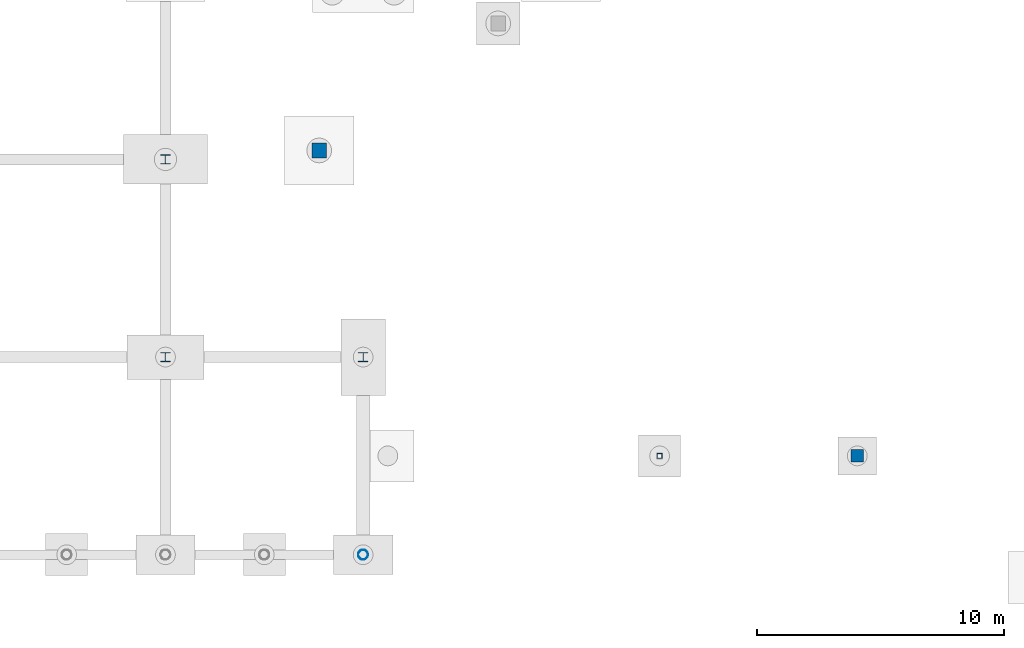
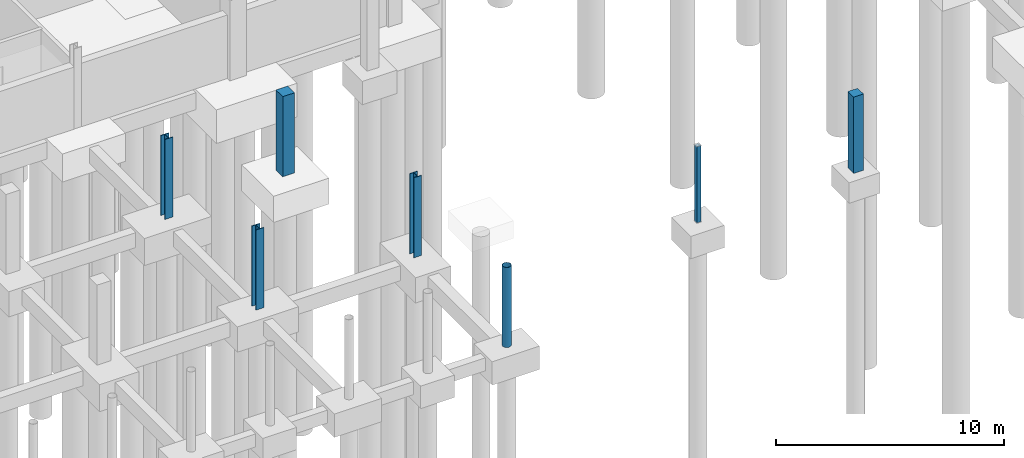
# One storey, part 16 of 48: 7 columns.
"""IFC4 building model written with IfcOpenShell, lengths in metres."""

from ifc_helpers import new_model, si_unit, derived_unit, direction, frame, origin, origin_2d, place, context, subcontext, project, spatial, rectangle, hollow_rectangle, hollow_circle, i_section, extrude, material, material_profile, profile_set, type_object, element, save


model = new_model("IFC4")

# Units and contexts
model_context = context("Model", 3, precision=1e-05, world=origin(), true_north=direction((0.0, 1.0)))
body_context = subcontext(model_context, "Body", "Model", "MODEL_VIEW")
ifc_project = project(units=[si_unit("LENGTHUNIT", "METRE"), si_unit("AREAUNIT", "SQUARE_METRE"), si_unit("VOLUMEUNIT", "CUBIC_METRE"), si_unit("PLANEANGLEUNIT", "RADIAN"), si_unit("MASSUNIT", "GRAM", prefix="KILO"), derived_unit("THERMALTRANSMITTANCEUNIT", [(si_unit("MASSUNIT", "GRAM", prefix="KILO"), 1), (si_unit("TIMEUNIT", "SECOND"), -3), (si_unit("THERMODYNAMICTEMPERATUREUNIT", "KELVIN"), -1)])], contexts=[model_context])

# Site, building, storey
site_placement = place(None, origin())
site = spatial("IfcSite", under=ifc_project, at=site_placement, CompositionType="ELEMENT")
building_placement = place(site_placement, origin())
building = spatial("IfcBuilding", under=site, at=building_placement, Name="Veyamyaing Civic Hall", CompositionType="ELEMENT")
storey_placement = place(building_placement, frame((0.0, 0.0, -4.2900390625)))
storey = spatial("IfcBuildingStorey", under=building, at=storey_placement, Name="B1", CompositionType="ELEMENT", Elevation=-4.2900390625)

# Columns
ifc_material_1 = material(Name="Concrete C45/55", Category="concrete")
ifc_material_profile_1 = material_profile(ifc_material_1, rectangle(XDim=0.60009765625, YDim=0.60009765625, at=origin_2d()), Name="RC-COL-600X600")
ifc_profile_set_1 = profile_set([ifc_material_profile_1], Name="Concrete C45/55")
column_type_1 = type_object("IfcColumnType", Name="C-06", PredefinedType="COLUMN", material=ifc_profile_set_1)
column_1_placement = place(storey_placement, frame((102.220703125, 16.36376953125, 0.0), z_axis=(0.0, 0.0, 1.0), x_axis=(1.0, 0.0, 0.0)))
element("IfcColumn", 1, at=column_1_placement, inside=storey, type_object=column_type_1, Name="Curved corner column C-06 ARC-SE-00 B1", PredefinedType="COLUMN", context=body_context, shape_type="SweptSolid", body=[
    extrude(rectangle(XDim=0.60009765625, YDim=0.60009765625, at=origin_2d()), origin(), (0.0, 0.0, 1.0), 4.2900390625),
])
ifc_material_2 = material(Name="Steel S355J2", Category="steel")
ifc_material_profile_2 = material_profile(ifc_material_2, i_section(OverallWidth=0.39794921875, OverallDepth=0.386962890625, WebThickness=0.02099609375, FlangeThickness=0.033203125, FilletRadius=0.014892578125, at=origin_2d()), Name="W360X262")
ifc_profile_set_2 = profile_set([ifc_material_profile_2], Name="Steel S355J2")
column_type_2 = type_object("IfcColumnType", Name="C-08", PredefinedType="COLUMN", material=ifc_profile_set_2)
for number, where, z_axis, x_axis, name in (
    (2, (96.0, 8.0, 0.0), (0.0, 0.0, 1.0), (1.0, 0.0, 0.0), "Column C-08 13-B B1"),
    (3, (96.0, 16.0, 0.0), (0.0, 0.0, 1.0), (1.0, 0.0, 0.0), "Column C-08 13-C B1"),
    (4, (104.0, 8.0, 0.0), (0.0, 0.0, 1.0), (1.0, 0.0, 0.0), "Column C-08 14-B B1"),
):
    element("IfcColumn", number, at=place(storey_placement, frame(where, z_axis=z_axis, x_axis=x_axis)), inside=storey, type_object=column_type_2, Name=name, PredefinedType="COLUMN", context=body_context, shape_type="SweptSolid", body=[
        extrude(i_section(OverallWidth=0.39794921875, OverallDepth=0.386962890625, WebThickness=0.02099609375, FlangeThickness=0.033203125, FilletRadius=0.014892578125, at=origin_2d()), origin(), (0.0, 0.0, 1.0), 4.2900390625),
    ])
ifc_material_profile_3 = material_profile(ifc_material_2, hollow_circle(Radius=0.203125, WallThickness=0.0126953125, at=origin_2d()), Name="CHS406X12.7")
ifc_profile_set_3 = profile_set([ifc_material_profile_3], Name="Steel S355J2")
column_type_3 = type_object("IfcColumnType", Name="C-11", PredefinedType="COLUMN", material=ifc_profile_set_3)
column_2_placement = place(storey_placement, frame((104.0, 0.0, 0.0), z_axis=(0.0, 0.0, 1.0), x_axis=(1.0, 0.0, 0.0)))
element("IfcColumn", 5, at=column_2_placement, inside=storey, type_object=column_type_3, Name="Column C-11 14-A B1", PredefinedType="COLUMN", context=body_context, shape_type="SweptSolid", body=[
    extrude(hollow_circle(Radius=0.203125, WallThickness=0.0126953125, at=origin_2d()), origin(), (0.0, 0.0, 1.0), 4.2900390625),
])
ifc_material_profile_4 = material_profile(ifc_material_2, hollow_rectangle(XDim=0.202880859375, YDim=0.202880859375, WallThickness=0.0126953125, at=origin_2d()), Name="HSS203X203X12.7")
ifc_profile_set_4 = profile_set([ifc_material_profile_4], Name="Steel S355J2")
column_type_4 = type_object("IfcColumnType", Name="C-14", PredefinedType="COLUMN", material=ifc_profile_set_4)
column_3_placement = place(storey_placement, frame((116.0, 4.0, 0.0), z_axis=(0.0, 0.0, 1.0), x_axis=(1.0, 0.0, 0.0)))
element("IfcColumn", 6, at=column_3_placement, inside=storey, type_object=column_type_4, Name="Forecourt apron edge column C-14 FC-SE", PredefinedType="COLUMN", context=body_context, shape_type="SweptSolid", body=[
    extrude(hollow_rectangle(XDim=0.202880859375, YDim=0.202880859375, WallThickness=0.0126953125, at=origin_2d()), origin(), (0.0, 0.0, 1.0), 4.090087890625),
])
ifc_material_profile_5 = material_profile(ifc_material_1, rectangle(XDim=0.5, YDim=0.5, at=origin_2d()), Name="RC-COL-500X500")
ifc_profile_set_5 = profile_set([ifc_material_profile_5], Name="Concrete C45/55")
column_type_5 = type_object("IfcColumnType", Name="C-15", PredefinedType="COLUMN", material=ifc_profile_set_5)
column_4_placement = place(storey_placement, frame((124.0, 4.0, 0.0), z_axis=(0.0, 0.0, 1.0), x_axis=(1.0, 0.0, 0.0)))
element("IfcColumn", 7, at=column_4_placement, inside=storey, type_object=column_type_5, Name="Forecourt colonnade pier C-15 SE", PredefinedType="COLUMN", context=body_context, shape_type="SweptSolid", body=[
    extrude(rectangle(XDim=0.5, YDim=0.5, at=origin_2d()), origin(), (0.0, 0.0, 1.0), 4.090087890625),
])

save(model, "model.ifc")
